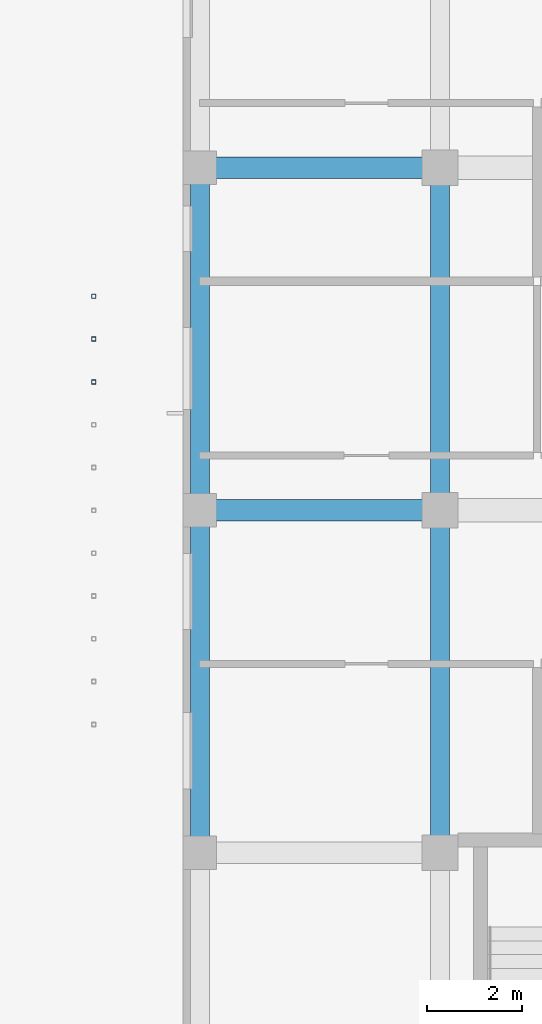
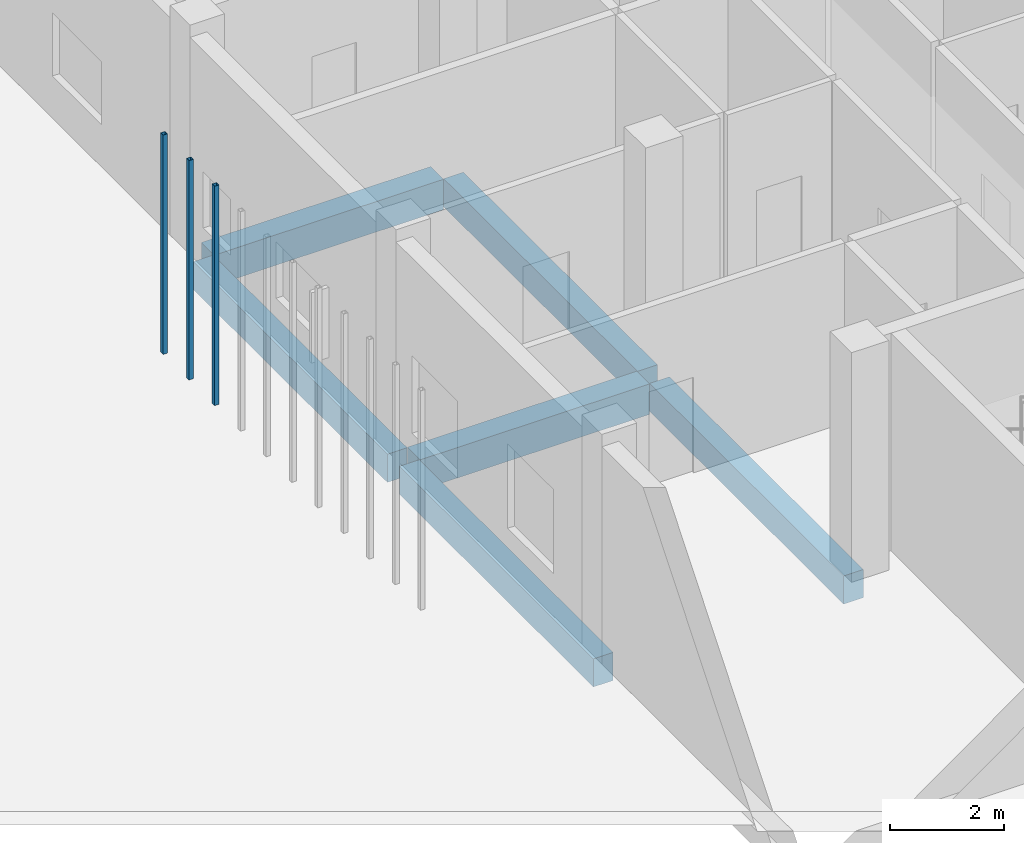
# One storey, part 26 of 85: 6 beams, 3 members.
"""IFC4 building model written with IfcOpenShell, lengths in metres."""

from ifc_helpers import new_model, si_unit, derived_unit, direction, frame, origin, origin_2d, place, context, subcontext, project, spatial, rectangle, hollow_rectangle, extrude, material, material_profile, profile_set, type_object, element, save


model = new_model("IFC4")

# Units and contexts
model_context = context("Model", 3, precision=1e-05, world=origin(), true_north=direction((0.0, 1.0)))
body_context = subcontext(model_context, "Body", "Model", "MODEL_VIEW")
ifc_project = project(units=[si_unit("LENGTHUNIT", "METRE"), si_unit("AREAUNIT", "SQUARE_METRE"), si_unit("VOLUMEUNIT", "CUBIC_METRE"), si_unit("PLANEANGLEUNIT", "RADIAN"), si_unit("MASSUNIT", "GRAM", prefix="KILO"), derived_unit("THERMALTRANSMITTANCEUNIT", [(si_unit("MASSUNIT", "GRAM", prefix="KILO"), 1), (si_unit("TIMEUNIT", "SECOND"), -3), (si_unit("THERMODYNAMICTEMPERATUREUNIT", "KELVIN"), -1)])], contexts=[model_context])

# Site, building, storey
site_placement = place(None, origin())
site = spatial("IfcSite", under=ifc_project, at=site_placement, CompositionType="ELEMENT")
building_placement = place(site_placement, origin())
building = spatial("IfcBuilding", under=site, at=building_placement, Name="Ochrekiln Boulevard Commons", CompositionType="ELEMENT")
storey_placement = place(building_placement, origin())
storey = spatial("IfcBuildingStorey", under=building, at=storey_placement, Name="L00", CompositionType="ELEMENT", Elevation=0.0)

# Beams
ifc_material_1 = material(Name="Concrete C35/45", Category="concrete")
ifc_material_profile_1 = material_profile(ifc_material_1, rectangle(XDim=0.39990234375, YDim=0.60009765625, at=origin_2d()), Name="RC-BM-400x600")
ifc_profile_set_1 = profile_set([ifc_material_profile_1], Name="Concrete C35/45")
beam_type_1 = type_object("IfcBeamType", Name="BM-RC-400x600", PredefinedType="BEAM", material=ifc_profile_set_1)
for number, where, z_axis, x_axis, name in (
    (1, (151.550048828125, 75.81005859375, -0.580078125), (0.0, 1.0, 0.0), (-1.0, 0.0, 0.0), "Block B L00 Beam B-4060 Y24"),
    (2, (151.550048828125, 83.010009765625, -0.580078125), (0.0, 1.0, 0.0), (-1.0, 0.0, 0.0), "Block B L00 Beam B-4060 Y25"),
    (3, (156.60009765625, 75.81005859375, -0.580078125), (0.0, 1.0, 0.0), (-1.0, 0.0, 0.0), "Block B L00 Beam B-4060 Y31"),
    (4, (156.60009765625, 83.010009765625, -0.580078125), (0.0, 1.0, 0.0), (-1.0, 0.0, 0.0), "Block B L00 Beam B-4060 Y32"),
):
    element("IfcBeam", number, at=place(storey_placement, frame(where, z_axis=z_axis, x_axis=x_axis)), inside=storey, type_object=beam_type_1, Name=name, PredefinedType="BEAM", context=body_context, shape_type="SweptSolid", body=[
        extrude(rectangle(XDim=0.39990234375, YDim=0.60009765625, at=origin_2d()), origin(), (0.0, 0.0, 1.0), 6.780029296875),
    ])
ifc_material_profile_2 = material_profile(ifc_material_1, rectangle(XDim=0.449951171875, YDim=0.64990234375, at=origin_2d()), Name="RC-BM-450x650")
ifc_profile_set_2 = profile_set([ifc_material_profile_2], Name="Concrete C35/45")
beam_type_2 = type_object("IfcBeamType", Name="BM-RC-450x650", PredefinedType="BEAM", material=ifc_profile_set_2)
for number, where, z_axis, x_axis, name in (
    (5, (151.760009765625, 82.800048828125, -0.60498046875), (1.0, 0.0, 0.0), (0.0, 1.0, 0.0), "Block B L00 Beam B-4565 X6"),
    (6, (151.760009765625, 90.0, -0.60498046875), (1.0, 0.0, 0.0), (0.0, 1.0, 0.0), "Block B L00 Beam B-4565 X9"),
):
    element("IfcBeam", number, at=place(storey_placement, frame(where, z_axis=z_axis, x_axis=x_axis)), inside=storey, type_object=beam_type_2, Name=name, PredefinedType="BEAM", context=body_context, shape_type="SweptSolid", body=[
        extrude(rectangle(XDim=0.449951171875, YDim=0.64990234375, at=origin_2d()), origin(), (0.0, 0.0, 1.0), 4.6298828125),
    ])

# Members
ifc_material_2 = material(Name="Steel A500 Grade C", Category="steel")
ifc_material_profile_3 = material_profile(ifc_material_2, hollow_rectangle(XDim=0.090087890625, YDim=0.090087890625, WallThickness=0.00634765625, at=origin_2d()), Name="HSS90X90X6.4")
ifc_profile_set_3 = profile_set([ifc_material_profile_3], Name="Steel A500 Grade C")
member_type = type_object("IfcMemberType", Name="MEM-PST-HSS90", PredefinedType="POST", material=ifc_profile_set_3)
for number, where, z_axis, x_axis, name in (
    (7, (149.320068359375, 85.5, 0.0), (0.0, 0.0, 1.0), (1.0, 0.0, 0.0), "Block B L00 Slim Vertical Balcony Post (141)"),
    (8, (149.320068359375, 86.39990234375, 0.0), (0.0, 0.0, 1.0), (1.0, 0.0, 0.0), "Block B L00 Slim Vertical Balcony Post (142)"),
    (9, (149.320068359375, 87.300048828125, 0.0), (0.0, 0.0, 1.0), (1.0, 0.0, 0.0), "Block B L00 Slim Vertical Balcony Post (143)"),
):
    element("IfcMember", number, at=place(storey_placement, frame(where, z_axis=z_axis, x_axis=x_axis)), inside=storey, type_object=member_type, Name=name, PredefinedType="POST", context=body_context, shape_type="SweptSolid", body=[
        extrude(hollow_rectangle(XDim=0.090087890625, YDim=0.090087890625, WallThickness=0.00634765625, at=origin_2d()), origin(), (0.0, 0.0, 1.0), 4.679931640625),
    ])

save(model, "model.ifc")
